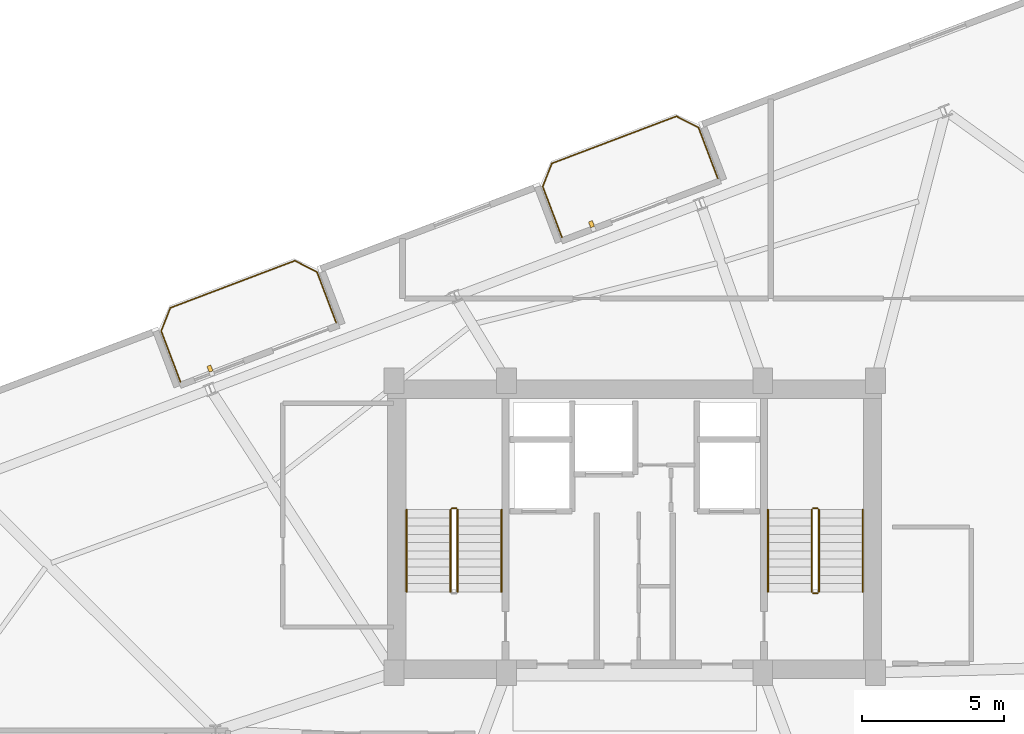
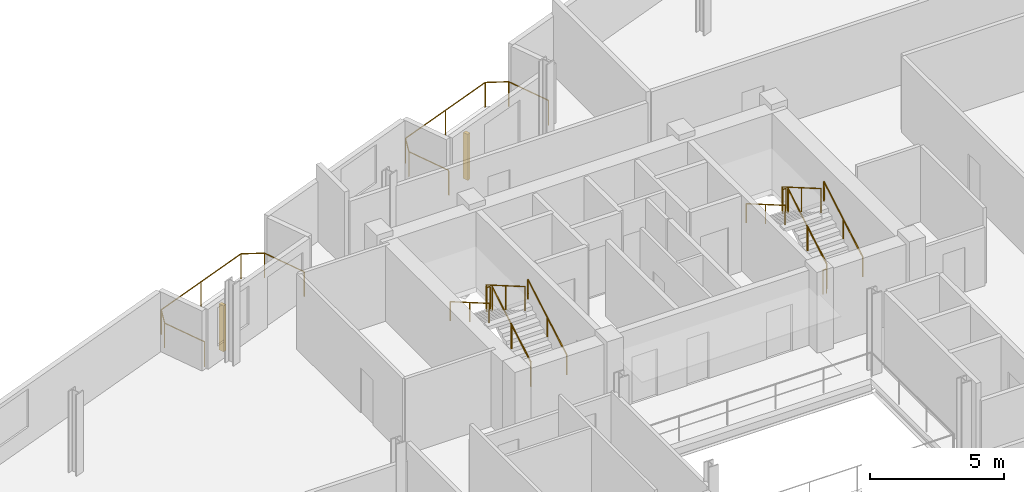
# One storey, part 19 of 19: 13 railings, 2 shading devices.
"""IFC4 building model written with IfcOpenShell, lengths in metres."""

from ifc_helpers import new_model, si_unit, direction, frame, origin, origin_2d, place, context, subcontext, project, spatial, rectangle, circle, extrude, source, transform, mapped, material, type_object, element, save


model = new_model("IFC4")

# Units and contexts
model_context = context("Model", 3, precision=1e-05, world=origin(), true_north=direction((0.0, 1.0)))
body_context = subcontext(model_context, "Body", "Model", "MODEL_VIEW")
ifc_project = project(units=[si_unit("LENGTHUNIT", "METRE"), si_unit("AREAUNIT", "SQUARE_METRE"), si_unit("VOLUMEUNIT", "CUBIC_METRE"), si_unit("PLANEANGLEUNIT", "RADIAN"), si_unit("MASSUNIT", "GRAM", prefix="KILO")], contexts=[model_context])

# Site, building, storey
site_placement = place(None, origin())
site = spatial("IfcSite", under=ifc_project, at=site_placement, CompositionType="ELEMENT")
building_placement = place(site_placement, origin())
building = spatial("IfcBuilding", under=site, at=building_placement, Name="Varnelok Gate Tower", CompositionType="ELEMENT")
storey_placement = place(building_placement, frame((0.0, 0.0, 246.0)))
storey = spatial("IfcBuildingStorey", under=building, at=storey_placement, Name="L63", CompositionType="ELEMENT", Elevation=246.0)

# Railings
ifc_material_1 = material(Name="Low-E Laminated Double Glazing IGU", Category="glass")
railing_type_1 = type_object("IfcRailingType", Name="RL-BALC-1150", PredefinedType="BALUSTRADE", material=ifc_material_1)
railing_1_placement = place(storey_placement, frame((23.166748046875, 39.011474609375, 0.0)))
element("IfcRailing", 1, at=railing_1_placement, inside=storey, type_object=railing_type_1, Name="L63 North Terrace Balustrade 3", PredefinedType="BALUSTRADE", context=body_context, shape_type="SweptSolid", body=[
    extrude(circle(Radius=0.02392578125, at=origin_2d()), frame((0.0, 0.0, 1.1259765625), z_axis=(-0.354159661475, 0.935184973245, 0.0), x_axis=(-0.935184973245, -0.354159661475, 0.0)), (0.0, 0.0, 1.0), 1.919921875),
    extrude(circle(Radius=0.02392578125, at=origin_2d()), frame((-0.679931640625, 1.79541015625, 1.1259765625), z_axis=(0.366495340819, 0.93041988648, 0.0), x_axis=(-0.93041988648, 0.366495340819, 0.0)), (0.0, 0.0, 1.0), 0.8779296875),
    extrude(circle(Radius=0.02392578125, at=origin_2d()), frame((-0.358154296875, 2.6123046875, 1.1259765625), z_axis=(0.935223045203, 0.354059113314, 0.0), x_axis=(-0.354059113314, 0.935223045203, 0.0)), (0.0, 0.0, 1.0), 4.699951171875),
    extrude(circle(Radius=0.02392578125, at=origin_2d()), frame((4.037353515625, 4.2763671875, 1.1259765625), z_axis=(0.89078254773, -0.454429810487, 0.0), x_axis=(0.454429810487, 0.89078254773, 0.0)), (0.0, 0.0, 1.0), 0.8779296875),
    extrude(circle(Radius=0.02392578125, at=origin_2d()), frame((4.8193359375, 3.87744140625, 1.1259765625), z_axis=(0.354006333352, -0.935243025073, 0.0), x_axis=(0.935243025073, 0.354006333352, 0.0)), (0.0, 0.0, 1.0), 1.919921875),
    extrude(circle(Radius=0.02099609375, at=origin_2d()), origin(), (0.0, 0.0, 1.0), 1.101806640625),
    extrude(circle(Radius=0.02099609375, at=origin_2d()), frame((-0.679931640625, 1.79541015625, 0.0)), (0.0, 0.0, 1.0), 1.101806640625),
    extrude(circle(Radius=0.02099609375, at=origin_2d()), frame((-0.358154296875, 2.6123046875, 0.0)), (0.0, 0.0, 1.0), 1.101806640625),
    extrude(circle(Radius=0.02099609375, at=origin_2d()), frame((1.839599609375, 3.4443359375, 0.0)), (0.0, 0.0, 1.0), 1.101806640625),
    extrude(circle(Radius=0.02099609375, at=origin_2d()), frame((4.037353515625, 4.2763671875, 0.0)), (0.0, 0.0, 1.0), 1.101806640625),
    extrude(circle(Radius=0.02099609375, at=origin_2d()), frame((4.8193359375, 3.87744140625, 0.0)), (0.0, 0.0, 1.0), 1.101806640625),
    extrude(circle(Radius=0.02099609375, at=origin_2d()), frame((5.4990234375, 2.081787109375, 0.0)), (0.0, 0.0, 1.0), 1.101806640625),
])
railing_2_placement = place(storey_placement, frame((36.6337890625, 44.10986328125, 0.0)))
element("IfcRailing", 2, at=railing_2_placement, inside=storey, type_object=railing_type_1, Name="L63 North Terrace Balustrade 4", PredefinedType="BALUSTRADE", context=body_context, shape_type="SweptSolid", body=[
    extrude(circle(Radius=0.02392578125, at=origin_2d()), frame((0.0, 0.0, 1.1259765625), z_axis=(-0.354006333352, 0.935243025073, 0.0), x_axis=(-0.935243025073, -0.354006333352, 0.0)), (0.0, 0.0, 1.0), 1.919921875),
    extrude(circle(Radius=0.02392578125, at=origin_2d()), frame((-0.6796875, 1.795654296875, 1.1259765625), z_axis=(0.366254584666, 0.930514685113, 0.0), x_axis=(-0.930514685113, 0.366254584666, 0.0)), (0.0, 0.0, 1.0), 0.8779296875),
    extrude(circle(Radius=0.02392578125, at=origin_2d()), frame((-0.358154296875, 2.612548828125, 1.1259765625), z_axis=(0.935229556479, 0.354041913744, 0.0), x_axis=(-0.354041913744, 0.935229556479, 0.0)), (0.0, 0.0, 1.0), 4.7001953125),
    extrude(circle(Radius=0.02392578125, at=origin_2d()), frame((4.03759765625, 4.276611328125, 1.1259765625), z_axis=(0.890612455555, -0.454763074589, 0.0), x_axis=(0.454763074589, 0.890612455555, 0.0)), (0.0, 0.0, 1.0), 0.877685546875),
    extrude(circle(Radius=0.02392578125, at=origin_2d()), frame((4.8193359375, 3.87744140625, 1.1259765625), z_axis=(0.354159661475, -0.935184973245, 0.0), x_axis=(0.935184973245, 0.354159661475, 0.0)), (0.0, 0.0, 1.0), 1.919921875),
    extrude(circle(Radius=0.02099609375, at=origin_2d()), origin(), (0.0, 0.0, 1.0), 1.101806640625),
    extrude(circle(Radius=0.02099609375, at=origin_2d()), frame((-0.6796875, 1.795654296875, 0.0)), (0.0, 0.0, 1.0), 1.101806640625),
    extrude(circle(Radius=0.02099609375, at=origin_2d()), frame((-0.358154296875, 2.612548828125, 0.0)), (0.0, 0.0, 1.0), 1.101806640625),
    extrude(circle(Radius=0.02099609375, at=origin_2d()), frame((1.83984375, 3.444580078125, 0.0)), (0.0, 0.0, 1.0), 1.101806640625),
    extrude(circle(Radius=0.02099609375, at=origin_2d()), frame((4.03759765625, 4.276611328125, 0.0)), (0.0, 0.0, 1.0), 1.101806640625),
    extrude(circle(Radius=0.02099609375, at=origin_2d()), frame((4.8193359375, 3.87744140625, 0.0)), (0.0, 0.0, 1.0), 1.101806640625),
    extrude(circle(Radius=0.02099609375, at=origin_2d()), frame((5.499267578125, 2.08203125, 0.0)), (0.0, 0.0, 1.0), 1.101806640625),
])
ifc_material_2 = material(Name="Brushed Stainless Steel AISI 316", Category="steel")
railing_type_2 = type_object("IfcRailingType", Name="RL-HANDRAIL-900", PredefinedType="HANDRAIL", material=ifc_material_2)
railing_3_placement = place(storey_placement, frame((34.5, 31.60009765625, 0.168212890625)))
element("IfcRailing", 3, at=railing_3_placement, inside=storey, type_object=railing_type_2, Name="L63 ST-1 stair handrail 1", PredefinedType="HANDRAIL", context=body_context, shape_type="SweptSolid", body=[
    extrude(circle(Radius=0.02392578125, at=origin_2d()), frame((0.0, 0.0, 0.8759765625), z_axis=(0.0, 0.865038774852, 0.501705010941), x_axis=(-1.0, 0.0, 0.0)), (0.0, 0.0, 1.0), 3.352294921875),
    extrude(circle(Radius=0.02099609375, at=origin_2d()), origin(), (0.0, 0.0, 1.0), 0.851806640625),
    extrude(circle(Radius=0.02099609375, at=origin_2d()), frame((0.0, 1.449951171875, 0.8408203125)), (0.0, 0.0, 1.0), 0.851806640625),
    extrude(circle(Radius=0.02099609375, at=origin_2d()), frame((0.0, 2.89990234375, 1.681884765625)), (0.0, 0.0, 1.0), 0.851806640625),
])
railing_4_placement = place(storey_placement, frame((31.14990234375, 34.5, 2.01806640625)))
element("IfcRailing", 4, at=railing_4_placement, inside=storey, type_object=railing_type_2, Name="L63 ST-1 stair handrail 2", PredefinedType="HANDRAIL", context=body_context, shape_type="SweptSolid", body=[
    extrude(circle(Radius=0.02392578125, at=origin_2d()), frame((0.0, 0.0, 0.8759765625), z_axis=(0.0, -0.865038774852, 0.501705010941), x_axis=(1.0, 0.0, 0.0)), (0.0, 0.0, 1.0), 3.352294921875),
    extrude(circle(Radius=0.02099609375, at=origin_2d()), origin(), (0.0, 0.0, 1.0), 0.851806640625),
    extrude(circle(Radius=0.02099609375, at=origin_2d()), frame((0.0, -1.449951171875, 0.8408203125)), (0.0, 0.0, 1.0), 0.851806640625),
    extrude(circle(Radius=0.02099609375, at=origin_2d()), frame((0.0, -2.89990234375, 1.681884765625)), (0.0, 0.0, 1.0), 0.851806640625),
])
railing_5_placement = place(storey_placement, frame((47.25, 31.60009765625, 0.168212890625)))
element("IfcRailing", 5, at=railing_5_placement, inside=storey, type_object=railing_type_2, Name="L63 ST-2 stair handrail 1", PredefinedType="HANDRAIL", context=body_context, shape_type="SweptSolid", body=[
    extrude(circle(Radius=0.02392578125, at=origin_2d()), frame((0.0, 0.0, 0.8759765625), z_axis=(0.0, 0.865038774852, 0.501705010941), x_axis=(-1.0, 0.0, 0.0)), (0.0, 0.0, 1.0), 3.352294921875),
    extrude(circle(Radius=0.02099609375, at=origin_2d()), origin(), (0.0, 0.0, 1.0), 0.851806640625),
    extrude(circle(Radius=0.02099609375, at=origin_2d()), frame((0.0, 1.449951171875, 0.8408203125)), (0.0, 0.0, 1.0), 0.851806640625),
    extrude(circle(Radius=0.02099609375, at=origin_2d()), frame((0.0, 2.89990234375, 1.681884765625)), (0.0, 0.0, 1.0), 0.851806640625),
])
railing_6_placement = place(storey_placement, frame((43.89990234375, 34.5, 2.01806640625)))
element("IfcRailing", 6, at=railing_6_placement, inside=storey, type_object=railing_type_2, Name="L63 ST-2 stair handrail 2", PredefinedType="HANDRAIL", context=body_context, shape_type="SweptSolid", body=[
    extrude(circle(Radius=0.02392578125, at=origin_2d()), frame((0.0, 0.0, 0.8759765625), z_axis=(0.0, -0.865038774852, 0.501705010941), x_axis=(1.0, 0.0, 0.0)), (0.0, 0.0, 1.0), 3.352294921875),
    extrude(circle(Radius=0.02099609375, at=origin_2d()), origin(), (0.0, 0.0, 1.0), 0.851806640625),
    extrude(circle(Radius=0.02099609375, at=origin_2d()), frame((0.0, -1.449951171875, 0.8408203125)), (0.0, 0.0, 1.0), 0.851806640625),
    extrude(circle(Radius=0.02099609375, at=origin_2d()), frame((0.0, -2.89990234375, 1.681884765625)), (0.0, 0.0, 1.0), 0.851806640625),
])
ifc_material_3 = material(Name="Galvanized Steel Grade S350GD", Category="steel")
railing_type_3 = type_object("IfcRailingType", Name="RL-STAIR-GUARD1120", PredefinedType="GUARDRAIL", material=ifc_material_3)
railing_7_placement = place(storey_placement, frame((32.949951171875, 31.60009765625, 0.168212890625)))
element("IfcRailing", 7, at=railing_7_placement, inside=storey, type_object=railing_type_3, Name="L63 ST-1 stair guard 1", PredefinedType="GUARDRAIL", context=body_context, shape_type="SweptSolid", body=[
    extrude(circle(Radius=0.02392578125, at=origin_2d()), frame((0.0, 0.0, 1.09619140625), z_axis=(0.0, 0.865038774852, 0.501705010941), x_axis=(-1.0, 0.0, 0.0)), (0.0, 0.0, 1.0), 3.352294921875),
    extrude(circle(Radius=0.02099609375, at=origin_2d()), origin(), (0.0, 0.0, 1.0), 1.072021484375),
    extrude(circle(Radius=0.02099609375, at=origin_2d()), frame((0.0, 1.449951171875, 0.8408203125)), (0.0, 0.0, 1.0), 1.072021484375),
    extrude(circle(Radius=0.02099609375, at=origin_2d()), frame((0.0, 2.89990234375, 1.681884765625)), (0.0, 0.0, 1.0), 1.072021484375),
])
railing_8_placement = place(storey_placement, frame((32.89990234375, 34.550048828125, 1.85009765625)))
element("IfcRailing", 8, at=railing_8_placement, inside=storey, type_object=railing_type_3, Name="L63 ST-1 stair guard 2", PredefinedType="GUARDRAIL", context=body_context, shape_type="SweptSolid", body=[
    extrude(circle(Radius=0.02392578125, at=origin_2d()), frame((0.0, 0.0, 1.09619140625), z_axis=(-1.0, 0.0, 0.0), x_axis=(0.0, -1.0, 0.0)), (0.0, 0.0, 1.0), 0.14990234375),
    extrude(circle(Radius=0.02099609375, at=origin_2d()), origin(), (0.0, 0.0, 1.0), 1.072021484375),
    extrude(circle(Radius=0.02099609375, at=origin_2d()), frame((-0.14990234375, 0.0, 0.0)), (0.0, 0.0, 1.0), 1.072021484375),
])
railing_9_placement = place(storey_placement, frame((32.699951171875, 34.5, 2.01806640625)))
element("IfcRailing", 9, at=railing_9_placement, inside=storey, type_object=railing_type_3, Name="L63 ST-1 stair guard 3", PredefinedType="GUARDRAIL", context=body_context, shape_type="SweptSolid", body=[
    extrude(circle(Radius=0.02392578125, at=origin_2d()), frame((0.0, 0.0, 1.09619140625), z_axis=(0.0, -0.865038774852, 0.501705010941), x_axis=(1.0, 0.0, 0.0)), (0.0, 0.0, 1.0), 3.352294921875),
    extrude(circle(Radius=0.02099609375, at=origin_2d()), origin(), (0.0, 0.0, 1.0), 1.072021484375),
    extrude(circle(Radius=0.02099609375, at=origin_2d()), frame((0.0, -1.449951171875, 0.8408203125)), (0.0, 0.0, 1.0), 1.072021484375),
    extrude(circle(Radius=0.02099609375, at=origin_2d()), frame((0.0, -2.89990234375, 1.681884765625)), (0.0, 0.0, 1.0), 1.072021484375),
])
railing_10_placement = place(storey_placement, frame((45.699951171875, 31.60009765625, 0.168212890625)))
element("IfcRailing", 10, at=railing_10_placement, inside=storey, type_object=railing_type_3, Name="L63 ST-2 stair guard 1", PredefinedType="GUARDRAIL", context=body_context, shape_type="SweptSolid", body=[
    extrude(circle(Radius=0.02392578125, at=origin_2d()), frame((0.0, 0.0, 1.09619140625), z_axis=(0.0, 0.865038774852, 0.501705010941), x_axis=(-1.0, 0.0, 0.0)), (0.0, 0.0, 1.0), 3.352294921875),
    extrude(circle(Radius=0.02099609375, at=origin_2d()), origin(), (0.0, 0.0, 1.0), 1.072021484375),
    extrude(circle(Radius=0.02099609375, at=origin_2d()), frame((0.0, 1.449951171875, 0.8408203125)), (0.0, 0.0, 1.0), 1.072021484375),
    extrude(circle(Radius=0.02099609375, at=origin_2d()), frame((0.0, 2.89990234375, 1.681884765625)), (0.0, 0.0, 1.0), 1.072021484375),
])
railing_11_placement = place(storey_placement, frame((45.64990234375, 34.550048828125, 1.85009765625)))
element("IfcRailing", 11, at=railing_11_placement, inside=storey, type_object=railing_type_3, Name="L63 ST-2 stair guard 2", PredefinedType="GUARDRAIL", context=body_context, shape_type="SweptSolid", body=[
    extrude(circle(Radius=0.02392578125, at=origin_2d()), frame((0.0, 0.0, 1.09619140625), z_axis=(-1.0, 0.0, 0.0), x_axis=(0.0, -1.0, 0.0)), (0.0, 0.0, 1.0), 0.14990234375),
    extrude(circle(Radius=0.02099609375, at=origin_2d()), origin(), (0.0, 0.0, 1.0), 1.072021484375),
    extrude(circle(Radius=0.02099609375, at=origin_2d()), frame((-0.14990234375, 0.0, 0.0)), (0.0, 0.0, 1.0), 1.072021484375),
])
railing_12_placement = place(storey_placement, frame((45.449951171875, 34.5, 2.01806640625)))
element("IfcRailing", 12, at=railing_12_placement, inside=storey, type_object=railing_type_3, Name="L63 ST-2 stair guard 3", PredefinedType="GUARDRAIL", context=body_context, shape_type="SweptSolid", body=[
    extrude(circle(Radius=0.02392578125, at=origin_2d()), frame((0.0, 0.0, 1.09619140625), z_axis=(0.0, -0.865038774852, 0.501705010941), x_axis=(1.0, 0.0, 0.0)), (0.0, 0.0, 1.0), 3.352294921875),
    extrude(circle(Radius=0.02099609375, at=origin_2d()), origin(), (0.0, 0.0, 1.0), 1.072021484375),
    extrude(circle(Radius=0.02099609375, at=origin_2d()), frame((0.0, -1.449951171875, 0.8408203125)), (0.0, 0.0, 1.0), 1.072021484375),
    extrude(circle(Radius=0.02099609375, at=origin_2d()), frame((0.0, -2.89990234375, 1.681884765625)), (0.0, 0.0, 1.0), 1.072021484375),
])
railing_13_placement = place(storey_placement, frame((45.64990234375, 31.550048828125, 0.0)))
element("IfcRailing", 13, at=railing_13_placement, inside=storey, type_object=railing_type_3, Name="L63 ST-2 stair guard 4", PredefinedType="GUARDRAIL", context=body_context, shape_type="SweptSolid", body=[
    extrude(circle(Radius=0.02392578125, at=origin_2d()), frame((0.0, 0.0, 1.09619140625), z_axis=(-1.0, 0.0, 0.0), x_axis=(0.0, -1.0, 0.0)), (0.0, 0.0, 1.0), 0.14990234375),
    extrude(circle(Radius=0.02099609375, at=origin_2d()), origin(), (0.0, 0.0, 1.0), 1.072021484375),
    extrude(circle(Radius=0.02099609375, at=origin_2d()), frame((-0.14990234375, 0.0, 0.0)), (0.0, 0.0, 1.0), 1.072021484375),
])

# Shading devices
ifc_material_4 = material(Name="Glazed Architectural Terracotta Ceramic", Category="masonry")
shading_device_type = type_object("IfcShadingDeviceType", Name="SHD-TERRA-FIN", PredefinedType="USERDEFINED", material=ifc_material_4)
shared_shape = source(origin(), body_context, "Body", "SweptSolid", [
    extrude(rectangle(XDim=0.139892578125, YDim=0.219970703125, at=origin_2d()), origin(), (0.0, 0.0, 1.0), 2.10009765625),
])
for number, where, z_axis, x_axis, name in (
    (14, (24.2080078125, 39.48046875, 0.099853515625), (0.0, 0.0, 1.0), (0.935221751401, 0.354062530786, 0.0), "L63 Terracotta Ceramic Baguette Sunscreen 3.1"),
    (15, (37.67529296875, 44.5791015625, 0.099853515625), (0.0, 0.0, 1.0), (0.935221751401, 0.354062530786, 0.0), "L63 Terracotta Ceramic Baguette Sunscreen 4.1"),
):
    element("IfcShadingDevice", number, at=place(storey_placement, frame(where, z_axis=z_axis, x_axis=x_axis)), inside=storey, type_object=shading_device_type, Name=name, ObjectType="BAGUETTE", PredefinedType="USERDEFINED", context=body_context, shape_type="MappedRepresentation", body=[
        mapped(shared_shape, transform((0.0, 0.0, 0.0), scale=1.0)),
    ])

save(model, "model.ifc")
